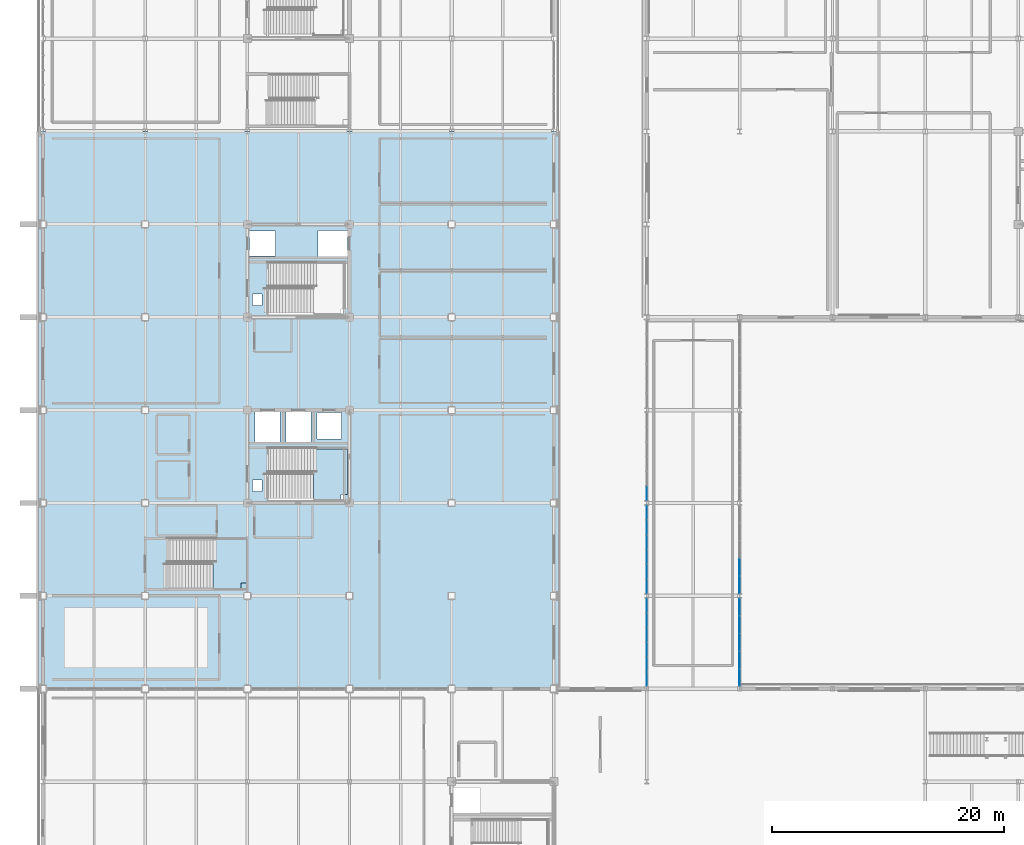
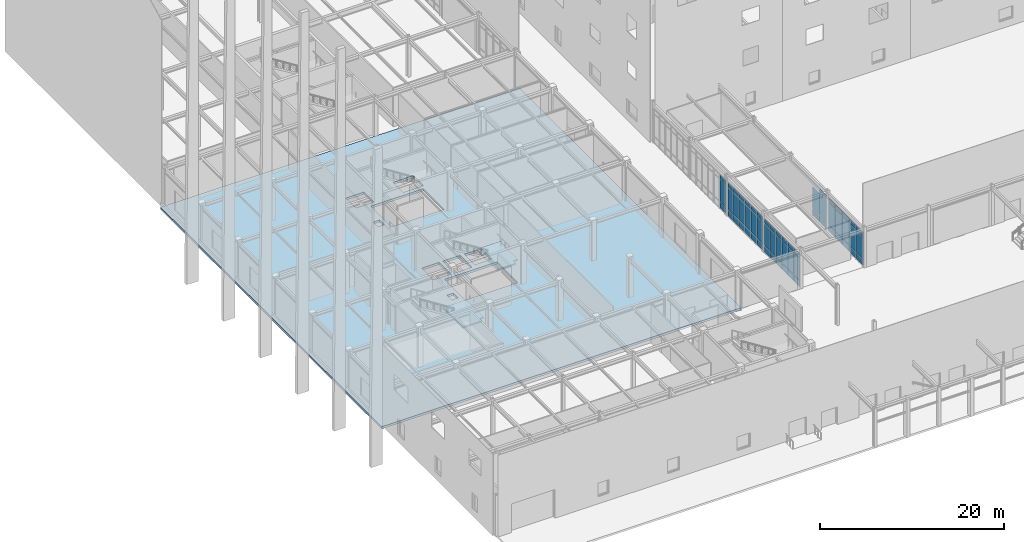
# One storey, part 56 of 119: 59 plates, 3 slabs, 7 elements without a shape of their own.
"""IFC4 building model written with IfcOpenShell, lengths in metres."""

from ifc_helpers import new_model, si_unit, direction, frame, origin, origin_2d, place, context, subcontext, project, spatial, polyline, rectangle, outline, extrude, material, layer, layer_set, type_object, element, aggregate, save


model = new_model("IFC4")

# Units and contexts
model_context = context("Model", 3, precision=1e-05, world=origin(), true_north=direction((0.0, 1.0)))
body_context = subcontext(model_context, "Body", "Model", "MODEL_VIEW")
ifc_project = project(units=[si_unit("LENGTHUNIT", "METRE"), si_unit("AREAUNIT", "SQUARE_METRE"), si_unit("VOLUMEUNIT", "CUBIC_METRE"), si_unit("PLANEANGLEUNIT", "RADIAN"), si_unit("MASSUNIT", "GRAM", prefix="KILO")], contexts=[model_context])

# Site, building, storey
site_placement = place(None, origin())
site = spatial("IfcSite", under=ifc_project, at=site_placement, CompositionType="ELEMENT")
building_placement = place(site_placement, origin())
building = spatial("IfcBuilding", under=site, at=building_placement, Name="Zhaolan Boulevard Law Courts", CompositionType="ELEMENT")
storey_placement = place(building_placement, origin())
storey = spatial("IfcBuildingStorey", under=building, at=storey_placement, Name="L00", CompositionType="ELEMENT", Elevation=0.0)

# Curtain wall, plates
ifc_material_1 = material(Name="Thermally broken aluminium and low-E glazing", Category="aluminium")
curtain_wall_type_1 = type_object("IfcCurtainWallType", Name="CURTAIN WALL M12", PredefinedType="USERDEFINED", material=ifc_material_1)
curtain_wall_1_placement = place(storey_placement, origin())
curtain_wall_1 = element("IfcCurtainWall", 1, at=curtain_wall_1_placement, inside=storey, type_object=curtain_wall_type_1, Name="Curtain Wall CW-L00-012", ObjectType="CURTAIN WALL", PredefinedType="USERDEFINED")
ifc_material_2 = material(Name="Acoustic laminated low-E glazing", Category="glass")
ifc_layer_1 = layer(ifc_material_2, 0.031982421875)
ifc_layer_set_1 = layer_set([ifc_layer_1])
plate_type = type_object("IfcPlateType", Name="CWPANEL LOW E32", PredefinedType="CURTAIN_PANEL", material=ifc_layer_set_1)
plate_1_placement = place(storey_placement, frame((52.0, 37.169677734375, 0.06494140625), z_axis=(0.0, 0.0, 1.0), x_axis=(0.0, -1.0, 0.0)))
plate_1 = element("IfcPlate", 2, at=plate_1_placement, type_object=plate_type, Name="CW-L00-012 panel 1.1", PredefinedType="CURTAIN_PANEL", context=body_context, shape_type="SweptSolid", body=[
    extrude(rectangle(XDim=1.1767578125, YDim=0.031982421875, at=origin_2d()), origin(), (0.0, 0.0, 1.0), 0.802490234375),
])
plate_2_placement = place(storey_placement, frame((52.0, 37.169677734375, 0.9326171875), z_axis=(0.0, 0.0, 1.0), x_axis=(0.0, -1.0, 0.0)))
plate_2 = element("IfcPlate", 3, at=plate_2_placement, type_object=plate_type, Name="CW-L00-012 panel 1.2", PredefinedType="CURTAIN_PANEL", context=body_context, shape_type="SweptSolid", body=[
    extrude(rectangle(XDim=1.1767578125, YDim=0.031982421875, at=origin_2d()), origin(), (0.0, 0.0, 1.0), 2.91796875),
])
plate_3_placement = place(storey_placement, frame((52.0, 37.169677734375, 3.91552734375), z_axis=(0.0, 0.0, 1.0), x_axis=(0.0, -1.0, 0.0)))
plate_3 = element("IfcPlate", 4, at=plate_3_placement, type_object=plate_type, Name="CW-L00-012 panel 1.3", PredefinedType="CURTAIN_PANEL", context=body_context, shape_type="SweptSolid", body=[
    extrude(rectangle(XDim=1.1767578125, YDim=0.031982421875, at=origin_2d()), origin(), (0.0, 0.0, 1.0), 0.552490234375),
])
plate_4_placement = place(storey_placement, frame((52.0, 35.91162109375, 0.06494140625), z_axis=(0.0, 0.0, 1.0), x_axis=(0.0, -1.0, 0.0)))
plate_4 = element("IfcPlate", 5, at=plate_4_placement, type_object=plate_type, Name="CW-L00-012 panel 2.1", PredefinedType="CURTAIN_PANEL", context=body_context, shape_type="SweptSolid", body=[
    extrude(rectangle(XDim=1.209228515625, YDim=0.031982421875, at=origin_2d()), origin(), (0.0, 0.0, 1.0), 0.802490234375),
])
plate_5_placement = place(storey_placement, frame((52.0, 35.91162109375, 0.9326171875), z_axis=(0.0, 0.0, 1.0), x_axis=(0.0, -1.0, 0.0)))
plate_5 = element("IfcPlate", 6, at=plate_5_placement, type_object=plate_type, Name="CW-L00-012 panel 2.2", PredefinedType="CURTAIN_PANEL", context=body_context, shape_type="SweptSolid", body=[
    extrude(rectangle(XDim=1.209228515625, YDim=0.031982421875, at=origin_2d()), origin(), (0.0, 0.0, 1.0), 2.91796875),
])
plate_6_placement = place(storey_placement, frame((52.0, 35.91162109375, 3.91552734375), z_axis=(0.0, 0.0, 1.0), x_axis=(0.0, -1.0, 0.0)))
plate_6 = element("IfcPlate", 7, at=plate_6_placement, type_object=plate_type, Name="CW-L00-012 panel 2.3", PredefinedType="CURTAIN_PANEL", context=body_context, shape_type="SweptSolid", body=[
    extrude(rectangle(XDim=1.209228515625, YDim=0.031982421875, at=origin_2d()), origin(), (0.0, 0.0, 1.0), 0.552490234375),
])
plate_7_placement = place(storey_placement, frame((52.0, 34.63720703125, 0.06494140625), z_axis=(0.0, 0.0, 1.0), x_axis=(0.0, -1.0, 0.0)))
plate_7 = element("IfcPlate", 8, at=plate_7_placement, type_object=plate_type, Name="CW-L00-012 panel 3.1", PredefinedType="CURTAIN_PANEL", context=body_context, shape_type="SweptSolid", body=[
    extrude(rectangle(XDim=1.209228515625, YDim=0.031982421875, at=origin_2d()), origin(), (0.0, 0.0, 1.0), 0.802490234375),
])
plate_8_placement = place(storey_placement, frame((52.0, 34.63720703125, 0.9326171875), z_axis=(0.0, 0.0, 1.0), x_axis=(0.0, -1.0, 0.0)))
plate_8 = element("IfcPlate", 9, at=plate_8_placement, type_object=plate_type, Name="CW-L00-012 panel 3.2", PredefinedType="CURTAIN_PANEL", context=body_context, shape_type="SweptSolid", body=[
    extrude(rectangle(XDim=1.209228515625, YDim=0.031982421875, at=origin_2d()), origin(), (0.0, 0.0, 1.0), 2.91796875),
])
plate_9_placement = place(storey_placement, frame((52.0, 34.63720703125, 3.91552734375), z_axis=(0.0, 0.0, 1.0), x_axis=(0.0, -1.0, 0.0)))
plate_9 = element("IfcPlate", 10, at=plate_9_placement, type_object=plate_type, Name="CW-L00-012 panel 3.3", PredefinedType="CURTAIN_PANEL", context=body_context, shape_type="SweptSolid", body=[
    extrude(rectangle(XDim=1.209228515625, YDim=0.031982421875, at=origin_2d()), origin(), (0.0, 0.0, 1.0), 0.552490234375),
])
plate_10_placement = place(storey_placement, frame((52.0, 33.36279296875, 0.06494140625), z_axis=(0.0, 0.0, 1.0), x_axis=(0.0, -1.0, 0.0)))
plate_10 = element("IfcPlate", 11, at=plate_10_placement, type_object=plate_type, Name="CW-L00-012 panel 4.1", PredefinedType="CURTAIN_PANEL", context=body_context, shape_type="SweptSolid", body=[
    extrude(rectangle(XDim=1.209228515625, YDim=0.031982421875, at=origin_2d()), origin(), (0.0, 0.0, 1.0), 0.802490234375),
])
plate_11_placement = place(storey_placement, frame((52.0, 33.36279296875, 0.9326171875), z_axis=(0.0, 0.0, 1.0), x_axis=(0.0, -1.0, 0.0)))
plate_11 = element("IfcPlate", 12, at=plate_11_placement, type_object=plate_type, Name="CW-L00-012 panel 4.2", PredefinedType="CURTAIN_PANEL", context=body_context, shape_type="SweptSolid", body=[
    extrude(rectangle(XDim=1.209228515625, YDim=0.031982421875, at=origin_2d()), origin(), (0.0, 0.0, 1.0), 2.91796875),
])
plate_12_placement = place(storey_placement, frame((52.0, 33.36279296875, 3.91552734375), z_axis=(0.0, 0.0, 1.0), x_axis=(0.0, -1.0, 0.0)))
plate_12 = element("IfcPlate", 13, at=plate_12_placement, type_object=plate_type, Name="CW-L00-012 panel 4.3", PredefinedType="CURTAIN_PANEL", context=body_context, shape_type="SweptSolid", body=[
    extrude(rectangle(XDim=1.209228515625, YDim=0.031982421875, at=origin_2d()), origin(), (0.0, 0.0, 1.0), 0.552490234375),
])
plate_13_placement = place(storey_placement, frame((52.0, 32.08837890625, 0.06494140625), z_axis=(0.0, 0.0, 1.0), x_axis=(0.0, -1.0, 0.0)))
plate_13 = element("IfcPlate", 14, at=plate_13_placement, type_object=plate_type, Name="CW-L00-012 panel 5.1", PredefinedType="CURTAIN_PANEL", context=body_context, shape_type="SweptSolid", body=[
    extrude(rectangle(XDim=1.209228515625, YDim=0.031982421875, at=origin_2d()), origin(), (0.0, 0.0, 1.0), 0.802490234375),
])
plate_14_placement = place(storey_placement, frame((52.0, 32.08837890625, 0.9326171875), z_axis=(0.0, 0.0, 1.0), x_axis=(0.0, -1.0, 0.0)))
plate_14 = element("IfcPlate", 15, at=plate_14_placement, type_object=plate_type, Name="CW-L00-012 panel 5.2", PredefinedType="CURTAIN_PANEL", context=body_context, shape_type="SweptSolid", body=[
    extrude(rectangle(XDim=1.209228515625, YDim=0.031982421875, at=origin_2d()), origin(), (0.0, 0.0, 1.0), 2.91796875),
])
plate_15_placement = place(storey_placement, frame((52.0, 32.08837890625, 3.91552734375), z_axis=(0.0, 0.0, 1.0), x_axis=(0.0, -1.0, 0.0)))
plate_15 = element("IfcPlate", 16, at=plate_15_placement, type_object=plate_type, Name="CW-L00-012 panel 5.3", PredefinedType="CURTAIN_PANEL", context=body_context, shape_type="SweptSolid", body=[
    extrude(rectangle(XDim=1.209228515625, YDim=0.031982421875, at=origin_2d()), origin(), (0.0, 0.0, 1.0), 0.552490234375),
])
plate_16_placement = place(storey_placement, frame((52.0, 30.830322265625, 0.06494140625), z_axis=(0.0, 0.0, 1.0), x_axis=(0.0, -1.0, 0.0)))
plate_16 = element("IfcPlate", 17, at=plate_16_placement, type_object=plate_type, Name="CW-L00-012 panel 6.1", PredefinedType="CURTAIN_PANEL", context=body_context, shape_type="SweptSolid", body=[
    extrude(rectangle(XDim=1.1767578125, YDim=0.031982421875, at=origin_2d()), origin(), (0.0, 0.0, 1.0), 0.802490234375),
])
plate_17_placement = place(storey_placement, frame((52.0, 30.830322265625, 0.9326171875), z_axis=(0.0, 0.0, 1.0), x_axis=(0.0, -1.0, 0.0)))
plate_17 = element("IfcPlate", 18, at=plate_17_placement, type_object=plate_type, Name="CW-L00-012 panel 6.2", PredefinedType="CURTAIN_PANEL", context=body_context, shape_type="SweptSolid", body=[
    extrude(rectangle(XDim=1.1767578125, YDim=0.031982421875, at=origin_2d()), origin(), (0.0, 0.0, 1.0), 2.91796875),
])
plate_18_placement = place(storey_placement, frame((52.0, 30.830322265625, 3.91552734375), z_axis=(0.0, 0.0, 1.0), x_axis=(0.0, -1.0, 0.0)))
plate_18 = element("IfcPlate", 19, at=plate_18_placement, type_object=plate_type, Name="CW-L00-012 panel 6.3", PredefinedType="CURTAIN_PANEL", context=body_context, shape_type="SweptSolid", body=[
    extrude(rectangle(XDim=1.1767578125, YDim=0.031982421875, at=origin_2d()), origin(), (0.0, 0.0, 1.0), 0.552490234375),
])
aggregate(curtain_wall_1, [plate_1, plate_2, plate_3, plate_4, plate_5, plate_6, plate_7, plate_8, plate_9, plate_10, plate_11, plate_12, plate_13, plate_14, plate_15, plate_16, plate_17, plate_18])

ifc_material_3 = material(Name="Thermally broken aluminium and low-E glazing", Category="aluminium")
curtain_wall_type_2 = type_object("IfcCurtainWallType", Name="CURTAIN WALL M13", PredefinedType="USERDEFINED", material=ifc_material_3)
curtain_wall_2_placement = place(storey_placement, origin())
curtain_wall_2 = element("IfcCurtainWall", 20, at=curtain_wall_2_placement, inside=storey, type_object=curtain_wall_type_2, Name="Curtain Wall CW-L00-013", ObjectType="CURTAIN WALL", PredefinedType="USERDEFINED")
plate_19_placement = place(storey_placement, frame((52.0, 45.169677734375, 0.06494140625), z_axis=(0.0, 0.0, 1.0), x_axis=(0.0, -1.0, 0.0)))
plate_19 = element("IfcPlate", 21, at=plate_19_placement, type_object=plate_type, Name="CW-L00-013 panel 1.1", PredefinedType="CURTAIN_PANEL", context=body_context, shape_type="SweptSolid", body=[
    extrude(rectangle(XDim=1.1767578125, YDim=0.031982421875, at=origin_2d()), origin(), (0.0, 0.0, 1.0), 0.802490234375),
])
plate_20_placement = place(storey_placement, frame((52.0, 45.169677734375, 0.9326171875), z_axis=(0.0, 0.0, 1.0), x_axis=(0.0, -1.0, 0.0)))
plate_20 = element("IfcPlate", 22, at=plate_20_placement, type_object=plate_type, Name="CW-L00-013 panel 1.2", PredefinedType="CURTAIN_PANEL", context=body_context, shape_type="SweptSolid", body=[
    extrude(rectangle(XDim=1.1767578125, YDim=0.031982421875, at=origin_2d()), origin(), (0.0, 0.0, 1.0), 2.91796875),
])
plate_21_placement = place(storey_placement, frame((52.0, 45.169677734375, 3.91552734375), z_axis=(0.0, 0.0, 1.0), x_axis=(0.0, -1.0, 0.0)))
plate_21 = element("IfcPlate", 23, at=plate_21_placement, type_object=plate_type, Name="CW-L00-013 panel 1.3", PredefinedType="CURTAIN_PANEL", context=body_context, shape_type="SweptSolid", body=[
    extrude(rectangle(XDim=1.1767578125, YDim=0.031982421875, at=origin_2d()), origin(), (0.0, 0.0, 1.0), 0.552490234375),
])
plate_22_placement = place(storey_placement, frame((52.0, 43.91162109375, 0.06494140625), z_axis=(0.0, 0.0, 1.0), x_axis=(0.0, -1.0, 0.0)))
plate_22 = element("IfcPlate", 24, at=plate_22_placement, type_object=plate_type, Name="CW-L00-013 panel 2.1", PredefinedType="CURTAIN_PANEL", context=body_context, shape_type="SweptSolid", body=[
    extrude(rectangle(XDim=1.209228515625, YDim=0.031982421875, at=origin_2d()), origin(), (0.0, 0.0, 1.0), 0.802490234375),
])
plate_23_placement = place(storey_placement, frame((52.0, 43.91162109375, 0.9326171875), z_axis=(0.0, 0.0, 1.0), x_axis=(0.0, -1.0, 0.0)))
plate_23 = element("IfcPlate", 25, at=plate_23_placement, type_object=plate_type, Name="CW-L00-013 panel 2.2", PredefinedType="CURTAIN_PANEL", context=body_context, shape_type="SweptSolid", body=[
    extrude(rectangle(XDim=1.209228515625, YDim=0.031982421875, at=origin_2d()), origin(), (0.0, 0.0, 1.0), 2.91796875),
])
plate_24_placement = place(storey_placement, frame((52.0, 43.91162109375, 3.91552734375), z_axis=(0.0, 0.0, 1.0), x_axis=(0.0, -1.0, 0.0)))
plate_24 = element("IfcPlate", 26, at=plate_24_placement, type_object=plate_type, Name="CW-L00-013 panel 2.3", PredefinedType="CURTAIN_PANEL", context=body_context, shape_type="SweptSolid", body=[
    extrude(rectangle(XDim=1.209228515625, YDim=0.031982421875, at=origin_2d()), origin(), (0.0, 0.0, 1.0), 0.552490234375),
])
plate_25_placement = place(storey_placement, frame((52.0, 42.63720703125, 0.06494140625), z_axis=(0.0, 0.0, 1.0), x_axis=(0.0, -1.0, 0.0)))
plate_25 = element("IfcPlate", 27, at=plate_25_placement, type_object=plate_type, Name="CW-L00-013 panel 3.1", PredefinedType="CURTAIN_PANEL", context=body_context, shape_type="SweptSolid", body=[
    extrude(rectangle(XDim=1.209228515625, YDim=0.031982421875, at=origin_2d()), origin(), (0.0, 0.0, 1.0), 0.802490234375),
])
plate_26_placement = place(storey_placement, frame((52.0, 42.63720703125, 0.9326171875), z_axis=(0.0, 0.0, 1.0), x_axis=(0.0, -1.0, 0.0)))
plate_26 = element("IfcPlate", 28, at=plate_26_placement, type_object=plate_type, Name="CW-L00-013 panel 3.2", PredefinedType="CURTAIN_PANEL", context=body_context, shape_type="SweptSolid", body=[
    extrude(rectangle(XDim=1.209228515625, YDim=0.031982421875, at=origin_2d()), origin(), (0.0, 0.0, 1.0), 2.91796875),
])
plate_27_placement = place(storey_placement, frame((52.0, 42.63720703125, 3.91552734375), z_axis=(0.0, 0.0, 1.0), x_axis=(0.0, -1.0, 0.0)))
plate_27 = element("IfcPlate", 29, at=plate_27_placement, type_object=plate_type, Name="CW-L00-013 panel 3.3", PredefinedType="CURTAIN_PANEL", context=body_context, shape_type="SweptSolid", body=[
    extrude(rectangle(XDim=1.209228515625, YDim=0.031982421875, at=origin_2d()), origin(), (0.0, 0.0, 1.0), 0.552490234375),
])
plate_28_placement = place(storey_placement, frame((52.0, 41.36279296875, 0.06494140625), z_axis=(0.0, 0.0, 1.0), x_axis=(0.0, -1.0, 0.0)))
plate_28 = element("IfcPlate", 30, at=plate_28_placement, type_object=plate_type, Name="CW-L00-013 panel 4.1", PredefinedType="CURTAIN_PANEL", context=body_context, shape_type="SweptSolid", body=[
    extrude(rectangle(XDim=1.209228515625, YDim=0.031982421875, at=origin_2d()), origin(), (0.0, 0.0, 1.0), 0.802490234375),
])
plate_29_placement = place(storey_placement, frame((52.0, 41.36279296875, 0.9326171875), z_axis=(0.0, 0.0, 1.0), x_axis=(0.0, -1.0, 0.0)))
plate_29 = element("IfcPlate", 31, at=plate_29_placement, type_object=plate_type, Name="CW-L00-013 panel 4.2", PredefinedType="CURTAIN_PANEL", context=body_context, shape_type="SweptSolid", body=[
    extrude(rectangle(XDim=1.209228515625, YDim=0.031982421875, at=origin_2d()), origin(), (0.0, 0.0, 1.0), 2.91796875),
])
plate_30_placement = place(storey_placement, frame((52.0, 41.36279296875, 3.91552734375), z_axis=(0.0, 0.0, 1.0), x_axis=(0.0, -1.0, 0.0)))
plate_30 = element("IfcPlate", 32, at=plate_30_placement, type_object=plate_type, Name="CW-L00-013 panel 4.3", PredefinedType="CURTAIN_PANEL", context=body_context, shape_type="SweptSolid", body=[
    extrude(rectangle(XDim=1.209228515625, YDim=0.031982421875, at=origin_2d()), origin(), (0.0, 0.0, 1.0), 0.552490234375),
])
plate_31_placement = place(storey_placement, frame((52.0, 40.08837890625, 0.06494140625), z_axis=(0.0, 0.0, 1.0), x_axis=(0.0, -1.0, 0.0)))
plate_31 = element("IfcPlate", 33, at=plate_31_placement, type_object=plate_type, Name="CW-L00-013 panel 5.1", PredefinedType="CURTAIN_PANEL", context=body_context, shape_type="SweptSolid", body=[
    extrude(rectangle(XDim=1.209228515625, YDim=0.031982421875, at=origin_2d()), origin(), (0.0, 0.0, 1.0), 0.802490234375),
])
plate_32_placement = place(storey_placement, frame((52.0, 40.08837890625, 0.9326171875), z_axis=(0.0, 0.0, 1.0), x_axis=(0.0, -1.0, 0.0)))
plate_32 = element("IfcPlate", 34, at=plate_32_placement, type_object=plate_type, Name="CW-L00-013 panel 5.2", PredefinedType="CURTAIN_PANEL", context=body_context, shape_type="SweptSolid", body=[
    extrude(rectangle(XDim=1.209228515625, YDim=0.031982421875, at=origin_2d()), origin(), (0.0, 0.0, 1.0), 2.91796875),
])
plate_33_placement = place(storey_placement, frame((52.0, 40.08837890625, 3.91552734375), z_axis=(0.0, 0.0, 1.0), x_axis=(0.0, -1.0, 0.0)))
plate_33 = element("IfcPlate", 35, at=plate_33_placement, type_object=plate_type, Name="CW-L00-013 panel 5.3", PredefinedType="CURTAIN_PANEL", context=body_context, shape_type="SweptSolid", body=[
    extrude(rectangle(XDim=1.209228515625, YDim=0.031982421875, at=origin_2d()), origin(), (0.0, 0.0, 1.0), 0.552490234375),
])
plate_34_placement = place(storey_placement, frame((52.0, 38.830322265625, 0.06494140625), z_axis=(0.0, 0.0, 1.0), x_axis=(0.0, -1.0, 0.0)))
plate_34 = element("IfcPlate", 36, at=plate_34_placement, type_object=plate_type, Name="CW-L00-013 panel 6.1", PredefinedType="CURTAIN_PANEL", context=body_context, shape_type="SweptSolid", body=[
    extrude(rectangle(XDim=1.1767578125, YDim=0.031982421875, at=origin_2d()), origin(), (0.0, 0.0, 1.0), 0.802490234375),
])
plate_35_placement = place(storey_placement, frame((52.0, 38.830322265625, 0.9326171875), z_axis=(0.0, 0.0, 1.0), x_axis=(0.0, -1.0, 0.0)))
plate_35 = element("IfcPlate", 37, at=plate_35_placement, type_object=plate_type, Name="CW-L00-013 panel 6.2", PredefinedType="CURTAIN_PANEL", context=body_context, shape_type="SweptSolid", body=[
    extrude(rectangle(XDim=1.1767578125, YDim=0.031982421875, at=origin_2d()), origin(), (0.0, 0.0, 1.0), 2.91796875),
])
plate_36_placement = place(storey_placement, frame((52.0, 38.830322265625, 3.91552734375), z_axis=(0.0, 0.0, 1.0), x_axis=(0.0, -1.0, 0.0)))
plate_36 = element("IfcPlate", 38, at=plate_36_placement, type_object=plate_type, Name="CW-L00-013 panel 6.3", PredefinedType="CURTAIN_PANEL", context=body_context, shape_type="SweptSolid", body=[
    extrude(rectangle(XDim=1.1767578125, YDim=0.031982421875, at=origin_2d()), origin(), (0.0, 0.0, 1.0), 0.552490234375),
])
aggregate(curtain_wall_2, [plate_19, plate_20, plate_21, plate_22, plate_23, plate_24, plate_25, plate_26, plate_27, plate_28, plate_29, plate_30, plate_31, plate_32, plate_33, plate_34, plate_35, plate_36])

ifc_material_4 = material(Name="Thermally broken aluminium and low-E glazing", Category="aluminium")
curtain_wall_type_3 = type_object("IfcCurtainWallType", Name="CURTAIN WALL M14", PredefinedType="USERDEFINED", material=ifc_material_4)
curtain_wall_3_placement = place(storey_placement, origin())
curtain_wall_3 = element("IfcCurtainWall", 39, at=curtain_wall_3_placement, inside=storey, type_object=curtain_wall_type_3, Name="Curtain Wall CW-L00-014", ObjectType="CURTAIN WALL", PredefinedType="USERDEFINED")
plate_37_placement = place(storey_placement, frame((52.0, 46.830322265625, 0.06494140625), z_axis=(0.0, 0.0, 1.0), x_axis=(0.0, -1.0, 0.0)))
plate_37 = element("IfcPlate", 40, at=plate_37_placement, type_object=plate_type, Name="CW-L00-014 panel 6.1", PredefinedType="CURTAIN_PANEL", context=body_context, shape_type="SweptSolid", body=[
    extrude(rectangle(XDim=1.1767578125, YDim=0.031982421875, at=origin_2d()), origin(), (0.0, 0.0, 1.0), 0.802490234375),
])
plate_38_placement = place(storey_placement, frame((52.0, 46.830322265625, 0.9326171875), z_axis=(0.0, 0.0, 1.0), x_axis=(0.0, -1.0, 0.0)))
plate_38 = element("IfcPlate", 41, at=plate_38_placement, type_object=plate_type, Name="CW-L00-014 panel 6.2", PredefinedType="CURTAIN_PANEL", context=body_context, shape_type="SweptSolid", body=[
    extrude(rectangle(XDim=1.1767578125, YDim=0.031982421875, at=origin_2d()), origin(), (0.0, 0.0, 1.0), 2.91796875),
])
plate_39_placement = place(storey_placement, frame((52.0, 46.830322265625, 3.91552734375), z_axis=(0.0, 0.0, 1.0), x_axis=(0.0, -1.0, 0.0)))
plate_39 = element("IfcPlate", 42, at=plate_39_placement, type_object=plate_type, Name="CW-L00-014 panel 6.3", PredefinedType="CURTAIN_PANEL", context=body_context, shape_type="SweptSolid", body=[
    extrude(rectangle(XDim=1.1767578125, YDim=0.031982421875, at=origin_2d()), origin(), (0.0, 0.0, 1.0), 0.552490234375),
])
aggregate(curtain_wall_3, [plate_37, plate_38, plate_39])

ifc_material_5 = material(Name="Thermally broken aluminium and low-E glazing", Category="aluminium")
curtain_wall_type_4 = type_object("IfcCurtainWallType", Name="CURTAIN WALL M16", PredefinedType="USERDEFINED", material=ifc_material_5)
curtain_wall_4_placement = place(storey_placement, origin())
curtain_wall_4 = element("IfcCurtainWall", 43, at=curtain_wall_4_placement, inside=storey, type_object=curtain_wall_type_4, Name="Curtain Wall CW-L00-016", ObjectType="CURTAIN WALL", PredefinedType="USERDEFINED")
plate_40_placement = place(storey_placement, frame((60.0, 30.957763671875, 0.06494140625), z_axis=(0.0, 0.0, 1.0), x_axis=(0.0, 1.0, 0.0)))
plate_40 = element("IfcPlate", 44, at=plate_40_placement, type_object=plate_type, Name="CW-L00-016 panel 1.1", PredefinedType="CURTAIN_PANEL", context=body_context, shape_type="SweptSolid", body=[
    extrude(rectangle(XDim=1.431640625, YDim=0.031982421875, at=origin_2d()), origin(), (0.0, 0.0, 1.0), 0.802490234375),
])
plate_41_placement = place(storey_placement, frame((60.0, 30.957763671875, 0.9326171875), z_axis=(0.0, 0.0, 1.0), x_axis=(0.0, 1.0, 0.0)))
plate_41 = element("IfcPlate", 45, at=plate_41_placement, type_object=plate_type, Name="CW-L00-016 panel 1.2", PredefinedType="CURTAIN_PANEL", context=body_context, shape_type="SweptSolid", body=[
    extrude(rectangle(XDim=1.431640625, YDim=0.031982421875, at=origin_2d()), origin(), (0.0, 0.0, 1.0), 2.91796875),
])
plate_42_placement = place(storey_placement, frame((60.0, 30.957763671875, 3.91552734375), z_axis=(0.0, 0.0, 1.0), x_axis=(0.0, 1.0, 0.0)))
plate_42 = element("IfcPlate", 46, at=plate_42_placement, type_object=plate_type, Name="CW-L00-016 panel 1.3", PredefinedType="CURTAIN_PANEL", context=body_context, shape_type="SweptSolid", body=[
    extrude(rectangle(XDim=1.431640625, YDim=0.031982421875, at=origin_2d()), origin(), (0.0, 0.0, 1.0), 0.552490234375),
])
plate_43_placement = place(storey_placement, frame((60.0, 32.470703125, 0.06494140625), z_axis=(0.0, 0.0, 1.0), x_axis=(0.0, 1.0, 0.0)))
plate_43 = element("IfcPlate", 47, at=plate_43_placement, type_object=plate_type, Name="CW-L00-016 panel 2.1", PredefinedType="CURTAIN_PANEL", context=body_context, shape_type="SweptSolid", body=[
    extrude(rectangle(XDim=1.464111328125, YDim=0.031982421875, at=origin_2d()), origin(), (0.0, 0.0, 1.0), 0.802490234375),
])
plate_44_placement = place(storey_placement, frame((60.0, 32.470703125, 0.9326171875), z_axis=(0.0, 0.0, 1.0), x_axis=(0.0, 1.0, 0.0)))
plate_44 = element("IfcPlate", 48, at=plate_44_placement, type_object=plate_type, Name="CW-L00-016 panel 2.2", PredefinedType="CURTAIN_PANEL", context=body_context, shape_type="SweptSolid", body=[
    extrude(rectangle(XDim=1.464111328125, YDim=0.031982421875, at=origin_2d()), origin(), (0.0, 0.0, 1.0), 2.91796875),
])
plate_45_placement = place(storey_placement, frame((60.0, 32.470703125, 3.91552734375), z_axis=(0.0, 0.0, 1.0), x_axis=(0.0, 1.0, 0.0)))
plate_45 = element("IfcPlate", 49, at=plate_45_placement, type_object=plate_type, Name="CW-L00-016 panel 2.3", PredefinedType="CURTAIN_PANEL", context=body_context, shape_type="SweptSolid", body=[
    extrude(rectangle(XDim=1.464111328125, YDim=0.031982421875, at=origin_2d()), origin(), (0.0, 0.0, 1.0), 0.552490234375),
])
plate_46_placement = place(storey_placement, frame((60.0, 34.0, 0.06494140625), z_axis=(0.0, 0.0, 1.0), x_axis=(0.0, 1.0, 0.0)))
plate_46 = element("IfcPlate", 50, at=plate_46_placement, type_object=plate_type, Name="CW-L00-016 panel 3.1", PredefinedType="CURTAIN_PANEL", context=body_context, shape_type="SweptSolid", body=[
    extrude(rectangle(XDim=1.464111328125, YDim=0.031982421875, at=origin_2d()), origin(), (0.0, 0.0, 1.0), 0.802490234375),
])
plate_47_placement = place(storey_placement, frame((60.0, 34.0, 0.9326171875), z_axis=(0.0, 0.0, 1.0), x_axis=(0.0, 1.0, 0.0)))
plate_47 = element("IfcPlate", 51, at=plate_47_placement, type_object=plate_type, Name="CW-L00-016 panel 3.2", PredefinedType="CURTAIN_PANEL", context=body_context, shape_type="SweptSolid", body=[
    extrude(rectangle(XDim=1.464111328125, YDim=0.031982421875, at=origin_2d()), origin(), (0.0, 0.0, 1.0), 2.91796875),
])
plate_48_placement = place(storey_placement, frame((60.0, 34.0, 3.91552734375), z_axis=(0.0, 0.0, 1.0), x_axis=(0.0, 1.0, 0.0)))
plate_48 = element("IfcPlate", 52, at=plate_48_placement, type_object=plate_type, Name="CW-L00-016 panel 3.3", PredefinedType="CURTAIN_PANEL", context=body_context, shape_type="SweptSolid", body=[
    extrude(rectangle(XDim=1.464111328125, YDim=0.031982421875, at=origin_2d()), origin(), (0.0, 0.0, 1.0), 0.552490234375),
])
plate_49_placement = place(storey_placement, frame((60.0, 35.529296875, 0.06494140625), z_axis=(0.0, 0.0, 1.0), x_axis=(0.0, 1.0, 0.0)))
plate_49 = element("IfcPlate", 53, at=plate_49_placement, type_object=plate_type, Name="CW-L00-016 panel 4.1", PredefinedType="CURTAIN_PANEL", context=body_context, shape_type="SweptSolid", body=[
    extrude(rectangle(XDim=1.464111328125, YDim=0.031982421875, at=origin_2d()), origin(), (0.0, 0.0, 1.0), 0.802490234375),
])
plate_50_placement = place(storey_placement, frame((60.0, 35.529296875, 0.9326171875), z_axis=(0.0, 0.0, 1.0), x_axis=(0.0, 1.0, 0.0)))
plate_50 = element("IfcPlate", 54, at=plate_50_placement, type_object=plate_type, Name="CW-L00-016 panel 4.2", PredefinedType="CURTAIN_PANEL", context=body_context, shape_type="SweptSolid", body=[
    extrude(rectangle(XDim=1.464111328125, YDim=0.031982421875, at=origin_2d()), origin(), (0.0, 0.0, 1.0), 2.91796875),
])
plate_51_placement = place(storey_placement, frame((60.0, 35.529296875, 3.91552734375), z_axis=(0.0, 0.0, 1.0), x_axis=(0.0, 1.0, 0.0)))
plate_51 = element("IfcPlate", 55, at=plate_51_placement, type_object=plate_type, Name="CW-L00-016 panel 4.3", PredefinedType="CURTAIN_PANEL", context=body_context, shape_type="SweptSolid", body=[
    extrude(rectangle(XDim=1.464111328125, YDim=0.031982421875, at=origin_2d()), origin(), (0.0, 0.0, 1.0), 0.552490234375),
])
plate_52_placement = place(storey_placement, frame((60.0, 37.042236328125, 0.06494140625), z_axis=(0.0, 0.0, 1.0), x_axis=(0.0, 1.0, 0.0)))
plate_52 = element("IfcPlate", 56, at=plate_52_placement, type_object=plate_type, Name="CW-L00-016 panel 5.1", PredefinedType="CURTAIN_PANEL", context=body_context, shape_type="SweptSolid", body=[
    extrude(rectangle(XDim=1.431640625, YDim=0.031982421875, at=origin_2d()), origin(), (0.0, 0.0, 1.0), 0.802490234375),
])
plate_53_placement = place(storey_placement, frame((60.0, 37.042236328125, 0.9326171875), z_axis=(0.0, 0.0, 1.0), x_axis=(0.0, 1.0, 0.0)))
plate_53 = element("IfcPlate", 57, at=plate_53_placement, type_object=plate_type, Name="CW-L00-016 panel 5.2", PredefinedType="CURTAIN_PANEL", context=body_context, shape_type="SweptSolid", body=[
    extrude(rectangle(XDim=1.431640625, YDim=0.031982421875, at=origin_2d()), origin(), (0.0, 0.0, 1.0), 2.91796875),
])
plate_54_placement = place(storey_placement, frame((60.0, 37.042236328125, 3.91552734375), z_axis=(0.0, 0.0, 1.0), x_axis=(0.0, 1.0, 0.0)))
plate_54 = element("IfcPlate", 58, at=plate_54_placement, type_object=plate_type, Name="CW-L00-016 panel 5.3", PredefinedType="CURTAIN_PANEL", context=body_context, shape_type="SweptSolid", body=[
    extrude(rectangle(XDim=1.431640625, YDim=0.031982421875, at=origin_2d()), origin(), (0.0, 0.0, 1.0), 0.552490234375),
])
aggregate(curtain_wall_4, [plate_40, plate_41, plate_42, plate_43, plate_44, plate_45, plate_46, plate_47, plate_48, plate_49, plate_50, plate_51, plate_52, plate_53, plate_54])

ifc_material_6 = material(Name="Thermally broken aluminium and low-E glazing", Category="aluminium")
curtain_wall_type_5 = type_object("IfcCurtainWallType", Name="CURTAIN WALL M17", PredefinedType="USERDEFINED", material=ifc_material_6)
curtain_wall_5_placement = place(storey_placement, origin())
curtain_wall_5 = element("IfcCurtainWall", 59, at=curtain_wall_5_placement, inside=storey, type_object=curtain_wall_type_5, Name="Curtain Wall CW-L00-017", ObjectType="CURTAIN WALL", PredefinedType="USERDEFINED")
plate_55_placement = place(storey_placement, frame((60.0, 38.957763671875, 0.06494140625), z_axis=(0.0, 0.0, 1.0), x_axis=(0.0, 1.0, 0.0)))
plate_55 = element("IfcPlate", 60, at=plate_55_placement, type_object=plate_type, Name="CW-L00-017 panel 1.1", PredefinedType="CURTAIN_PANEL", context=body_context, shape_type="SweptSolid", body=[
    extrude(rectangle(XDim=1.431640625, YDim=0.031982421875, at=origin_2d()), origin(), (0.0, 0.0, 1.0), 0.802490234375),
])
plate_56_placement = place(storey_placement, frame((60.0, 38.957763671875, 0.9326171875), z_axis=(0.0, 0.0, 1.0), x_axis=(0.0, 1.0, 0.0)))
plate_56 = element("IfcPlate", 61, at=plate_56_placement, type_object=plate_type, Name="CW-L00-017 panel 1.2", PredefinedType="CURTAIN_PANEL", context=body_context, shape_type="SweptSolid", body=[
    extrude(rectangle(XDim=1.431640625, YDim=0.031982421875, at=origin_2d()), origin(), (0.0, 0.0, 1.0), 2.91796875),
])
plate_57_placement = place(storey_placement, frame((60.0, 38.957763671875, 3.91552734375), z_axis=(0.0, 0.0, 1.0), x_axis=(0.0, 1.0, 0.0)))
plate_57 = element("IfcPlate", 62, at=plate_57_placement, type_object=plate_type, Name="CW-L00-017 panel 1.3", PredefinedType="CURTAIN_PANEL", context=body_context, shape_type="SweptSolid", body=[
    extrude(rectangle(XDim=1.431640625, YDim=0.031982421875, at=origin_2d()), origin(), (0.0, 0.0, 1.0), 0.552490234375),
])
plate_58_placement = place(storey_placement, frame((60.0, 40.470703125, 0.06494140625), z_axis=(0.0, 0.0, 1.0), x_axis=(0.0, 1.0, 0.0)))
plate_58 = element("IfcPlate", 63, at=plate_58_placement, type_object=plate_type, Name="CW-L00-017 panel 2.1", PredefinedType="CURTAIN_PANEL", context=body_context, shape_type="SweptSolid", body=[
    extrude(rectangle(XDim=1.464111328125, YDim=0.031982421875, at=origin_2d()), origin(), (0.0, 0.0, 1.0), 0.802490234375),
])
plate_59_placement = place(storey_placement, frame((60.0, 40.470703125, 0.9326171875), z_axis=(0.0, 0.0, 1.0), x_axis=(0.0, 1.0, 0.0)))
plate_59 = element("IfcPlate", 64, at=plate_59_placement, type_object=plate_type, Name="CW-L00-017 panel 2.2", PredefinedType="CURTAIN_PANEL", context=body_context, shape_type="SweptSolid", body=[
    extrude(rectangle(XDim=1.464111328125, YDim=0.031982421875, at=origin_2d()), origin(), (0.0, 0.0, 1.0), 2.91796875),
])
aggregate(curtain_wall_5, [plate_55, plate_56, plate_57, plate_58, plate_59])

# Slab
ifc_material_7 = material(Name="Concrete C40", Category="concrete")
ifc_layer_2 = layer(ifc_material_7, 0.300048828125)
ifc_layer_set_2 = layer_set([ifc_layer_2])
slab_type_1 = type_object("IfcSlabType", Name="FLOOR SLAB 300", PredefinedType="FLOOR", material=ifc_layer_set_2)
slab_1_placement = place(storey_placement, frame((0.0, 0.0, -0.300048828125)))
element("IfcSlab", 65, at=slab_1_placement, inside=storey, type_object=slab_type_1, Name="Slab SLB-L00-V5", PredefinedType="FLOOR", context=body_context, shape_type="SweptSolid", body=[
    extrude(outline(polyline([(-0.52001953125, 30.0), (44.52001953125, 30.0), (44.52001953125, 78.0), (-0.52001953125, 78.0), (-0.52001953125, 30.0)]), holes=[polyline([(18.27490234375, 51.27490234375), (20.425048828125, 51.27490234375), (20.425048828125, 53.824951171875), (18.27490234375, 53.824951171875), (18.27490234375, 51.27490234375)]), polyline([(20.925048828125, 51.27490234375), (23.074951171875, 51.27490234375), (23.074951171875, 53.824951171875), (20.925048828125, 53.824951171875), (20.925048828125, 51.27490234375)]), polyline([(23.675048828125, 67.25), (26.22509765625, 67.25), (26.22509765625, 69.449951171875), (23.675048828125, 69.449951171875), (23.675048828125, 67.25)]), polyline([(23.60009765625, 51.52490234375), (25.699951171875, 51.52490234375), (25.699951171875, 53.77490234375), (23.60009765625, 53.77490234375), (23.60009765625, 51.52490234375)]), polyline([(17.77490234375, 67.27490234375), (20.02490234375, 67.27490234375), (20.02490234375, 69.425048828125), (17.77490234375, 69.425048828125), (17.77490234375, 67.27490234375)]), polyline([(19.35009765625, 46.25), (25.949951171875, 46.25), (25.949951171875, 50.75), (19.35009765625, 50.75), (19.35009765625, 46.25)]), polyline([(19.35009765625, 62.25), (25.949951171875, 62.25), (25.949951171875, 66.75), (19.35009765625, 66.75), (19.35009765625, 62.25)]), polyline([(18.050048828125, 47.0), (18.85009765625, 47.0), (18.85009765625, 48.0), (18.050048828125, 48.0), (18.050048828125, 47.0)]), polyline([(18.050048828125, 63.0), (18.85009765625, 63.0), (18.85009765625, 64.0), (18.050048828125, 64.0), (18.050048828125, 63.0)])]), origin(), (0.0, 0.0, 1.0), 0.300048828125),
])

# Stair, slab
ifc_material_8 = material(Name="Concrete C40", Category="concrete")
stair_type_1 = type_object("IfcStairType", Name="HALF TURN STAIR 54 B", PredefinedType="HALF_TURN_STAIR", material=ifc_material_8)
stair_1_placement = place(storey_placement, origin())
stair_1 = element("IfcStair", 66, at=stair_1_placement, inside=storey, type_object=stair_type_1, Name="Stair ST01-L00", PredefinedType="HALF_TURN_STAIR")
ifc_material_9 = material(Name="Concrete C40", Category="concrete")
ifc_layer_3 = layer(ifc_material_9, 0.199951171875)
ifc_layer_set_3 = layer_set([ifc_layer_3])
slab_type_2 = type_object("IfcSlabType", Name="STAIR LANDING 200", PredefinedType="LANDING", material=ifc_layer_set_3)
slab_2_placement = place(storey_placement, frame((0.0, 0.0, 2.5)))
slab_2 = element("IfcSlab", 67, at=slab_2_placement, type_object=slab_type_2, Name="Stair Landing ST01-L00-L1", PredefinedType="LANDING", context=body_context, shape_type="SweptSolid", body=[
    extrude(outline(polyline([(23.2900390625, 46.169921875), (25.669921875, 46.169921875), (25.669921875, 46.72998046875), (26.22998046875, 46.72998046875), (26.22998046875, 50.639892578125), (23.2900390625, 50.639892578125), (23.2900390625, 46.169921875)])), origin(), (0.0, 0.0, 1.0), 0.199951171875),
])
aggregate(stair_1, [slab_2])

ifc_material_10 = material(Name="Concrete C40", Category="concrete")
stair_type_2 = type_object("IfcStairType", Name="HALF TURN STAIR 54 A", PredefinedType="HALF_TURN_STAIR", material=ifc_material_10)
stair_2_placement = place(storey_placement, origin())
stair_2 = element("IfcStair", 68, at=stair_2_placement, inside=storey, type_object=stair_type_2, Name="Stair ST03-L00", PredefinedType="HALF_TURN_STAIR")
slab_3_placement = place(storey_placement, frame((0.0, 0.0, 2.5)))
slab_3 = element("IfcSlab", 69, at=slab_3_placement, type_object=slab_type_2, Name="Stair Landing ST03-L00-L1", PredefinedType="LANDING", context=body_context, shape_type="SweptSolid", body=[
    extrude(outline(polyline([(14.639892578125, 38.60009765625), (17.0400390625, 38.60009765625), (17.0400390625, 39.110107421875), (17.550048828125, 39.110107421875), (17.550048828125, 42.89990234375), (14.639892578125, 42.89990234375), (14.639892578125, 38.60009765625)])), origin(), (0.0, 0.0, 1.0), 0.199951171875),
])
aggregate(stair_2, [slab_3])

save(model, "model.ifc")
